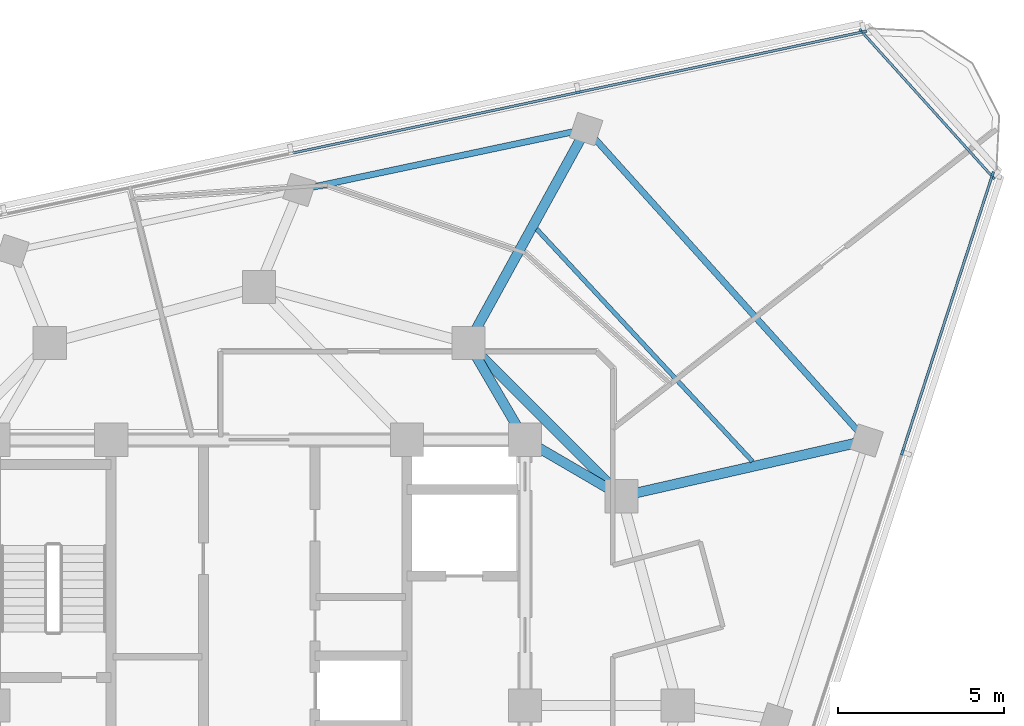
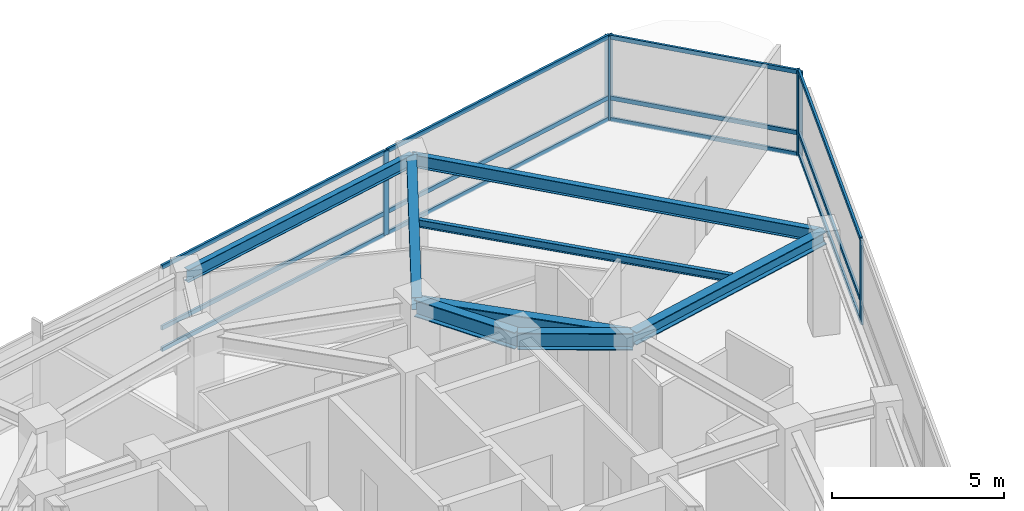
# One storey, part 6 of 15: 18 members, 8 beams, 3 elements without a shape of their own.
"""IFC4 building model written with IfcOpenShell, lengths in metres."""

from ifc_helpers import new_model, si_unit, direction, frame, origin, origin_2d, place, context, subcontext, project, spatial, rectangle, i_section, extrude, material, layer, layer_set, material_profile, profile_set, type_object, element, aggregate, save


model = new_model("IFC4")

# Units and contexts
model_context = context("Model", 3, precision=1e-05, world=origin(), true_north=direction((0.0, 1.0)))
body_context = subcontext(model_context, "Body", "Model", "MODEL_VIEW")
ifc_project = project(units=[si_unit("LENGTHUNIT", "METRE"), si_unit("AREAUNIT", "SQUARE_METRE"), si_unit("VOLUMEUNIT", "CUBIC_METRE"), si_unit("PLANEANGLEUNIT", "RADIAN"), si_unit("MASSUNIT", "GRAM", prefix="KILO")], contexts=[model_context])

# Site, building, storey
site_placement = place(None, origin())
site = spatial("IfcSite", under=ifc_project, at=site_placement, CompositionType="ELEMENT")
building_placement = place(site_placement, origin())
building = spatial("IfcBuilding", under=site, at=building_placement, Name="Terralouvre Media Tower", CompositionType="ELEMENT")
storey_placement = place(building_placement, frame((0.0, 0.0, 283.199951171875)))
storey = spatial("IfcBuildingStorey", under=building, at=storey_placement, Name="L73", CompositionType="ELEMENT", Elevation=283.199951171875)

# Beam
ifc_material_1 = material(Name="Structural steel S355J2", Category="steel")
ifc_material_profile_1 = material_profile(ifc_material_1, i_section(OverallWidth=0.135009765625, OverallDepth=0.27001953125, WebThickness=0.006591796875, FlangeThickness=0.01025390625, at=origin_2d()), Name="IPE 270")
ifc_profile_set_1 = profile_set([ifc_material_profile_1], Name="Structural steel S355J2")
beam_type_1 = type_object("IfcBeamType", Name="Composite Floor Joist J-IPE270 (IPE 270)", PredefinedType="JOIST", material=ifc_profile_set_1)
beam_1_placement = place(storey_placement, frame((14.85107421875, 7.34716796875, 3.364990234375), z_axis=(-0.680613949102, 0.732642240311, 0.0), x_axis=(-0.732642240311, -0.680613949102, 0.0)))
element("IfcBeam", 1, at=beam_1_placement, inside=storey, type_object=beam_type_1, Name="L73 Framing Beam JT-L73-04", PredefinedType="JOIST", context=body_context, shape_type="SweptSolid", body=[
    extrude(i_section(OverallWidth=0.135009765625, OverallDepth=0.27001953125, WebThickness=0.006591796875, FlangeThickness=0.01025390625, at=origin_2d()), origin(), (0.0, 0.0, 1.0), 9.54443359375),
])

# Curtain wall, members
ifc_material_2 = material(Name="Low-iron laminated double glazing with solar-control coating", Category="glass")
ifc_layer_1 = layer(ifc_material_2, 0.1650390625, Name="Faceted Glass-Point Crown Curtain Wall CW-06")
ifc_layer_set_1 = layer_set([ifc_layer_1], Name="Low-iron laminated double glazing with solar-control coating")
curtain_wall_type_1 = type_object("IfcCurtainWallType", Name="Faceted Glass-Point Crown Curtain Wall CW-06", PredefinedType="NOTDEFINED", material=ifc_layer_set_1)
curtain_wall_1_placement = place(storey_placement, origin())
curtain_wall_1 = element("IfcCurtainWall", 2, at=curtain_wall_1_placement, inside=storey, type_object=curtain_wall_type_1, Name="L73 Facade Curtain Wall F0", PredefinedType="NOTDEFINED")
ifc_material_3 = material(Name="Anodised extruded aluminium 6063-T6", Category="aluminium")
ifc_material_profile_2 = material_profile(ifc_material_3, rectangle(XDim=0.074951171875, YDim=0.14990234375, at=origin_2d()), Name="ALU 75x150")
ifc_profile_set_2 = profile_set([ifc_material_profile_2], Name="Anodised extruded aluminium 6063-T6")
member_type_1 = type_object("IfcMemberType", Name="Curtain-Wall Horizontal Transom TR-150", PredefinedType="USERDEFINED", material=ifc_profile_set_2)
member_1_placement = place(storey_placement, frame((19.372314453125, 7.662109375, 0.03759765625), z_axis=(0.309004958377, 0.951060426944, 0.0), x_axis=(-0.951060426944, 0.309004958377, 0.0)))
member_1 = element("IfcMember", 3, at=member_1_placement, type_object=member_type_1, Name="CW-06 transom 5.1", ObjectType="TRANSOM", PredefinedType="USERDEFINED", context=body_context, shape_type="SweptSolid", body=[
    extrude(rectangle(XDim=0.074951171875, YDim=0.14990234375, at=origin_2d()), origin(), (0.0, 0.0, 1.0), 8.71142578125),
])
member_2_placement = place(storey_placement, frame((19.372314453125, 7.662109375, 0.800048828125), z_axis=(0.309004958377, 0.951060426944, 0.0), x_axis=(-0.951060426944, 0.309004958377, 0.0)))
member_2 = element("IfcMember", 4, at=member_2_placement, type_object=member_type_1, Name="CW-06 transom 5.2", ObjectType="TRANSOM", PredefinedType="USERDEFINED", context=body_context, shape_type="SweptSolid", body=[
    extrude(rectangle(XDim=0.074951171875, YDim=0.14990234375, at=origin_2d()), origin(), (0.0, 0.0, 1.0), 8.71142578125),
])
member_3_placement = place(storey_placement, frame((19.372314453125, 7.662109375, 2.962646484375), z_axis=(0.309004958377, 0.951060426944, 0.0), x_axis=(-0.951060426944, 0.309004958377, 0.0)))
member_3 = element("IfcMember", 5, at=member_3_placement, type_object=member_type_1, Name="CW-06 transom 5.3", ObjectType="TRANSOM", PredefinedType="USERDEFINED", context=body_context, shape_type="SweptSolid", body=[
    extrude(rectangle(XDim=0.074951171875, YDim=0.14990234375, at=origin_2d()), origin(), (0.0, 0.0, 1.0), 8.71142578125),
])

curtain_wall_2_placement = place(storey_placement, origin())
curtain_wall_2 = element("IfcCurtainWall", 6, at=curtain_wall_2_placement, inside=storey, type_object=curtain_wall_type_1, Name="L73 Facade Curtain Wall F1", PredefinedType="NOTDEFINED")
member_4_placement = place(storey_placement, frame((18.166259765625, 20.2763671875, 0.03759765625), z_axis=(-0.978146812348, -0.207915399846, 0.0), x_axis=(0.207915399846, -0.978146812348, 0.0)))
member_4 = element("IfcMember", 7, at=member_4_placement, type_object=member_type_1, Name="CW-06 transom 1.1", ObjectType="TRANSOM", PredefinedType="USERDEFINED", context=body_context, shape_type="SweptSolid", body=[
    extrude(rectangle(XDim=0.074951171875, YDim=0.14990234375, at=origin_2d()), origin(), (0.0, 0.0, 1.0), 8.711669921875),
])
member_5_placement = place(storey_placement, frame((18.166259765625, 20.2763671875, 0.800048828125), z_axis=(-0.978146812348, -0.207915399846, 0.0), x_axis=(0.207915399846, -0.978146812348, 0.0)))
member_5 = element("IfcMember", 8, at=member_5_placement, type_object=member_type_1, Name="CW-06 transom 1.2", ObjectType="TRANSOM", PredefinedType="USERDEFINED", context=body_context, shape_type="SweptSolid", body=[
    extrude(rectangle(XDim=0.074951171875, YDim=0.14990234375, at=origin_2d()), origin(), (0.0, 0.0, 1.0), 8.711669921875),
])
member_6_placement = place(storey_placement, frame((18.166259765625, 20.2763671875, 2.962646484375), z_axis=(-0.978146812348, -0.207915399846, 0.0), x_axis=(0.207915399846, -0.978146812348, 0.0)))
member_6 = element("IfcMember", 9, at=member_6_placement, type_object=member_type_1, Name="CW-06 transom 1.3", ObjectType="TRANSOM", PredefinedType="USERDEFINED", context=body_context, shape_type="SweptSolid", body=[
    extrude(rectangle(XDim=0.074951171875, YDim=0.14990234375, at=origin_2d()), origin(), (0.0, 0.0, 1.0), 8.711669921875),
])
member_7_placement = place(storey_placement, frame((9.57177734375, 18.44970703125, 0.03759765625), z_axis=(-0.978146154485, -0.207918494767, 0.0), x_axis=(0.207918494767, -0.978146154485, 0.0)))
member_7 = element("IfcMember", 10, at=member_7_placement, type_object=member_type_1, Name="CW-06 transom 2.1", ObjectType="TRANSOM", PredefinedType="USERDEFINED", context=body_context, shape_type="SweptSolid", body=[
    extrude(rectangle(XDim=0.074951171875, YDim=0.14990234375, at=origin_2d()), origin(), (0.0, 0.0, 1.0), 8.7490234375),
])
member_8_placement = place(storey_placement, frame((9.57177734375, 18.44970703125, 0.800048828125), z_axis=(-0.978146154485, -0.207918494767, 0.0), x_axis=(0.207918494767, -0.978146154485, 0.0)))
member_8 = element("IfcMember", 11, at=member_8_placement, type_object=member_type_1, Name="CW-06 transom 2.2", ObjectType="TRANSOM", PredefinedType="USERDEFINED", context=body_context, shape_type="SweptSolid", body=[
    extrude(rectangle(XDim=0.074951171875, YDim=0.14990234375, at=origin_2d()), origin(), (0.0, 0.0, 1.0), 8.7490234375),
])
member_9_placement = place(storey_placement, frame((9.57177734375, 18.44970703125, 2.962646484375), z_axis=(-0.978146154485, -0.207918494767, 0.0), x_axis=(0.207918494767, -0.978146154485, 0.0)))
member_9 = element("IfcMember", 12, at=member_9_placement, type_object=member_type_1, Name="CW-06 transom 2.3", ObjectType="TRANSOM", PredefinedType="USERDEFINED", context=body_context, shape_type="SweptSolid", body=[
    extrude(rectangle(XDim=0.074951171875, YDim=0.14990234375, at=origin_2d()), origin(), (0.0, 0.0, 1.0), 8.7490234375),
])

ifc_material_4 = material(Name="Low-iron laminated double glazing with solar-control coating", Category="glass")
ifc_layer_2 = layer(ifc_material_4, 0.1650390625, Name="Rounded Wind-Corner Curved Glazing CW-04")
ifc_layer_set_2 = layer_set([ifc_layer_2], Name="Low-iron laminated double glazing with solar-control coating")
curtain_wall_type_2 = type_object("IfcCurtainWallType", Name="Rounded Wind-Corner Curved Glazing CW-04", PredefinedType="NOTDEFINED", material=ifc_layer_set_2)
curtain_wall_3_placement = place(storey_placement, origin())
curtain_wall_3 = element("IfcCurtainWall", 13, at=curtain_wall_3_placement, inside=storey, type_object=curtain_wall_type_2, Name="L73 Rounded Wind-Corner Curtain Wall C1", PredefinedType="NOTDEFINED")
member_10_placement = place(storey_placement, frame((22.04736328125, 15.943603515625, 0.03759765625), z_axis=(-0.669127275147, 0.743147824901, 0.0), x_axis=(-0.743147824901, -0.669127275147, 0.0)))
member_10 = element("IfcMember", 14, at=member_10_placement, type_object=member_type_1, Name="CW-04 transom 1.1", ObjectType="TRANSOM", PredefinedType="USERDEFINED", context=body_context, shape_type="SweptSolid", body=[
    extrude(rectangle(XDim=0.074951171875, YDim=0.14990234375, at=origin_2d()), origin(), (0.0, 0.0, 1.0), 5.808349609375),
])
member_11_placement = place(storey_placement, frame((22.04736328125, 15.943603515625, 0.800048828125), z_axis=(-0.669127275147, 0.743147824901, 0.0), x_axis=(-0.743147824901, -0.669127275147, 0.0)))
member_11 = element("IfcMember", 15, at=member_11_placement, type_object=member_type_1, Name="CW-04 transom 1.2", ObjectType="TRANSOM", PredefinedType="USERDEFINED", context=body_context, shape_type="SweptSolid", body=[
    extrude(rectangle(XDim=0.074951171875, YDim=0.14990234375, at=origin_2d()), origin(), (0.0, 0.0, 1.0), 5.808349609375),
])
member_12_placement = place(storey_placement, frame((22.04736328125, 15.943603515625, 2.962646484375), z_axis=(-0.669127275147, 0.743147824901, 0.0), x_axis=(-0.743147824901, -0.669127275147, 0.0)))
member_12 = element("IfcMember", 16, at=member_12_placement, type_object=member_type_1, Name="CW-04 transom 1.3", ObjectType="TRANSOM", PredefinedType="USERDEFINED", context=body_context, shape_type="SweptSolid", body=[
    extrude(rectangle(XDim=0.074951171875, YDim=0.14990234375, at=origin_2d()), origin(), (0.0, 0.0, 1.0), 5.808349609375),
])

# Member
ifc_material_5 = material(Name="Anodised extruded aluminium 6063-T6", Category="aluminium")
ifc_material_profile_3 = material_profile(ifc_material_5, rectangle(XDim=0.074951171875, YDim=0.179931640625, at=origin_2d()), Name="ALU 75x180")
ifc_profile_set_3 = profile_set([ifc_material_profile_3], Name="Anodised extruded aluminium 6063-T6")
member_type_2 = type_object("IfcMemberType", Name="Curtain-Wall Vertical Mullion ML-180", PredefinedType="MULLION", material=ifc_profile_set_3)
member_13_placement = place(storey_placement, frame((19.360595703125, 7.62646484375, 0.0), z_axis=(0.0, 0.0, 1.0), x_axis=(-0.951056507337, 0.309017021946, 0.0)))
member_13 = element("IfcMember", 17, at=member_13_placement, type_object=member_type_2, Name="CW-06 mullion 5", PredefinedType="MULLION", context=body_context, shape_type="SweptSolid", body=[
    extrude(rectangle(XDim=0.074951171875, YDim=0.179931640625, at=origin_2d()), origin(), (0.0, 0.0, 1.0), 3.0),
])

member_14_placement = place(storey_placement, frame((22.075927734375, 15.98291015625, 0.0), z_axis=(0.0, 0.0, 1.0), x_axis=(-0.951056507337, 0.309017021946, 0.0)))
member_14 = element("IfcMember", 18, at=member_14_placement, type_object=member_type_2, Name="CW-06 mullion 6", PredefinedType="MULLION", context=body_context, shape_type="SweptSolid", body=[
    extrude(rectangle(XDim=0.074951171875, YDim=0.179931640625, at=origin_2d()), origin(), (0.0, 0.0, 1.0), 3.0),
])

aggregate(curtain_wall_1, [member_13, member_14, member_1, member_2, member_3])

member_15_placement = place(storey_placement, frame((18.202880859375, 20.2841796875, 0.0), z_axis=(0.0, 0.0, 1.0), x_axis=(0.207911618313, -0.978147616145, 0.0)))
member_15 = element("IfcMember", 19, at=member_15_placement, type_object=member_type_2, Name="CW-06 mullion 1", PredefinedType="MULLION", context=body_context, shape_type="SweptSolid", body=[
    extrude(rectangle(XDim=0.074951171875, YDim=0.179931640625, at=origin_2d()), origin(), (0.0, 0.0, 1.0), 3.0),
])

member_16_placement = place(storey_placement, frame((9.6083984375, 18.45751953125, 0.0), z_axis=(0.0, 0.0, 1.0), x_axis=(0.207911618313, -0.978147616145, 0.0)))
member_16 = element("IfcMember", 20, at=member_16_placement, type_object=member_type_2, Name="CW-06 mullion 2", PredefinedType="MULLION", context=body_context, shape_type="SweptSolid", body=[
    extrude(rectangle(XDim=0.074951171875, YDim=0.179931640625, at=origin_2d()), origin(), (0.0, 0.0, 1.0), 3.0),
])

aggregate(curtain_wall_2, [member_15, member_16, member_4, member_5, member_6, member_7, member_8, member_9])

member_17_placement = place(storey_placement, frame((22.072509765625, 15.915771484375, 0.0), z_axis=(0.0, 0.0, 1.0), x_axis=(-0.743145163279, -0.669130231192, 0.0)))
member_17 = element("IfcMember", 21, at=member_17_placement, type_object=member_type_2, Name="CW-04 mullion 1", PredefinedType="MULLION", context=body_context, shape_type="SweptSolid", body=[
    extrude(rectangle(XDim=0.074951171875, YDim=0.179931640625, at=origin_2d()), origin(), (0.0, 0.0, 1.0), 3.0),
])

member_18_placement = place(storey_placement, frame((18.1357421875, 20.287841796875, 0.0), z_axis=(0.0, 0.0, 1.0), x_axis=(-0.743145163279, -0.669130231192, 0.0)))
member_18 = element("IfcMember", 22, at=member_18_placement, type_object=member_type_2, Name="CW-04 mullion 2", PredefinedType="MULLION", context=body_context, shape_type="SweptSolid", body=[
    extrude(rectangle(XDim=0.074951171875, YDim=0.179931640625, at=origin_2d()), origin(), (0.0, 0.0, 1.0), 3.0),
])

aggregate(curtain_wall_3, [member_17, member_18, member_10, member_11, member_12])

# Beams
ifc_material_6 = material(Name="Structural steel S355J2", Category="steel")
ifc_material_profile_4 = material_profile(ifc_material_6, i_section(OverallWidth=0.18994140625, OverallDepth=0.449951171875, WebThickness=0.009521484375, FlangeThickness=0.0146484375, at=origin_2d()), Name="IPE 450")
ifc_profile_set_4 = profile_set([ifc_material_profile_4], Name="Structural steel S355J2")
beam_type_2 = type_object("IfcBeamType", Name="Perimeter Spandrel Beam SPB-450 (IPE 450)", PredefinedType="SPANDREL", material=ifc_profile_set_4)
beam_2_placement = place(storey_placement, frame((18.285888671875, 7.975830078125, 3.275146484375), z_axis=(-0.669130421256, 0.743144992144, 0.0), x_axis=(-0.743144992144, -0.669130421256, 0.0)))
element("IfcBeam", 23, at=beam_2_placement, inside=storey, type_object=beam_type_2, Name="L73 Framing Beam BM-L73-PR08", PredefinedType="SPANDREL", context=body_context, shape_type="SweptSolid", body=[
    extrude(i_section(OverallWidth=0.18994140625, OverallDepth=0.449951171875, WebThickness=0.009521484375, FlangeThickness=0.0146484375, at=origin_2d()), origin(), (0.0, 0.0, 1.0), 12.616943359375),
])
beam_3_placement = place(storey_placement, frame((9.843505859375, 17.35205078125, 3.275146484375), z_axis=(-0.978151678083, -0.207892507471, 0.0), x_axis=(0.207892507471, -0.978151678083, 0.0)))
element("IfcBeam", 24, at=beam_3_placement, inside=storey, type_object=beam_type_2, Name="L73 Framing Beam BM-L73-PR09", PredefinedType="SPANDREL", context=body_context, shape_type="SweptSolid", body=[
    extrude(i_section(OverallWidth=0.18994140625, OverallDepth=0.449951171875, WebThickness=0.009521484375, FlangeThickness=0.0146484375, at=origin_2d()), origin(), (0.0, 0.0, 1.0), 8.82421875),
])
ifc_material_7 = material(Name="Structural steel S355J2", Category="steel")
ifc_material_profile_5 = material_profile(ifc_material_7, i_section(OverallWidth=0.300048828125, OverallDepth=0.449951171875, WebThickness=0.013916015625, FlangeThickness=0.02587890625, at=origin_2d()), Name="HEB 450")
ifc_profile_set_5 = profile_set([ifc_material_profile_5], Name="Structural steel S355J2")
beam_type_3 = type_object("IfcBeamType", Name="Primary Floor Girder B-HEB450 (HEB 450)", PredefinedType="BEAM", material=ifc_profile_set_5)
beam_4_placement = place(storey_placement, frame((10.911865234375, 6.300048828125, 3.275146484375), z_axis=(0.975136661347, 0.221604358479, 0.0), x_axis=(-0.221604358479, 0.975136661347, 0.0)))
element("IfcBeam", 25, at=beam_4_placement, inside=storey, type_object=beam_type_3, Name="L73 Framing Beam BM-L73-RD08", PredefinedType="BEAM", context=body_context, shape_type="SweptSolid", body=[
    extrude(i_section(OverallWidth=0.300048828125, OverallDepth=0.449951171875, WebThickness=0.013916015625, FlangeThickness=0.02587890625, at=origin_2d()), origin(), (0.0, 0.0, 1.0), 7.56201171875),
])
beam_5_placement = place(storey_placement, frame((6.300048828125, 10.911865234375, 3.275146484375), z_axis=(0.482060267282, 0.876138059159, 0.0), x_axis=(-0.876138059159, 0.482060267282, 0.0)))
element("IfcBeam", 26, at=beam_5_placement, inside=storey, type_object=beam_type_3, Name="L73 Framing Beam BM-L73-RD09", PredefinedType="BEAM", context=body_context, shape_type="SweptSolid", body=[
    extrude(i_section(OverallWidth=0.300048828125, OverallDepth=0.449951171875, WebThickness=0.013916015625, FlangeThickness=0.02587890625, at=origin_2d()), origin(), (0.0, 0.0, 1.0), 7.3505859375),
])
ifc_material_8 = material(Name="Structural steel S460M", Category="steel")
ifc_material_profile_6 = material_profile(ifc_material_8, i_section(OverallWidth=0.300048828125, OverallDepth=0.60009765625, WebThickness=0.015380859375, FlangeThickness=0.030029296875, at=origin_2d()), Name="HEB 600")
ifc_profile_set_6 = profile_set([ifc_material_profile_6], Name="Structural steel S460M")
beam_type_4 = type_object("IfcBeamType", Name="Primary Floor Girder B-HEB600 (HEB 600)", PredefinedType="BEAM", material=ifc_profile_set_6)
beam_6_placement = place(storey_placement, frame((10.911865234375, 6.300048828125, 3.199951171875), z_axis=(-0.707106781187, 0.707106781187, 0.0), x_axis=(-0.707106781187, -0.707106781187, 0.0)))
element("IfcBeam", 27, at=beam_6_placement, inside=storey, type_object=beam_type_4, Name="L73 Framing Beam BM-L73-MR07", PredefinedType="BEAM", context=body_context, shape_type="SweptSolid", body=[
    extrude(i_section(OverallWidth=0.300048828125, OverallDepth=0.60009765625, WebThickness=0.015380859375, FlangeThickness=0.030029296875, at=origin_2d()), origin(), (0.0, 0.0, 1.0), 6.52197265625),
])
for number, where, z_axis, x_axis, name in (
    (28, (8.0, 8.0, 3.199951171875), (0.863602894532, -0.504172629717, 0.0), (0.504172629717, 0.863602894532, 0.0), "L73 Framing Beam BM-L73-CM07"),
    (29, (8.0, 8.0, 3.199951171875), (-0.504172629717, 0.863602894532, 0.0), (-0.863602894532, -0.504172629717, 0.0), "L73 Framing Beam BM-L73-CM08"),
):
    element("IfcBeam", number, at=place(storey_placement, frame(where, z_axis=z_axis, x_axis=x_axis)), inside=storey, type_object=beam_type_4, Name=name, PredefinedType="BEAM", context=body_context, shape_type="SweptSolid", body=[
        extrude(i_section(OverallWidth=0.300048828125, OverallDepth=0.60009765625, WebThickness=0.015380859375, FlangeThickness=0.030029296875, at=origin_2d()), origin(), (0.0, 0.0, 1.0), 3.371826171875),
    ])

save(model, "model.ifc")
